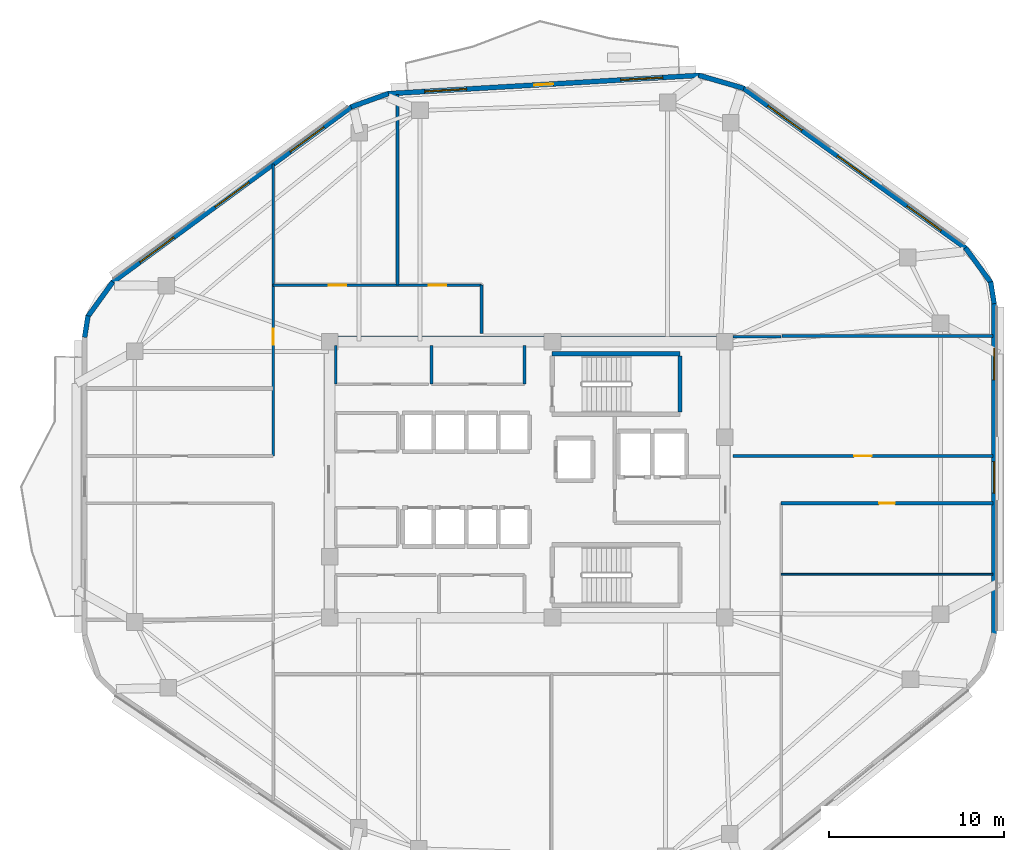
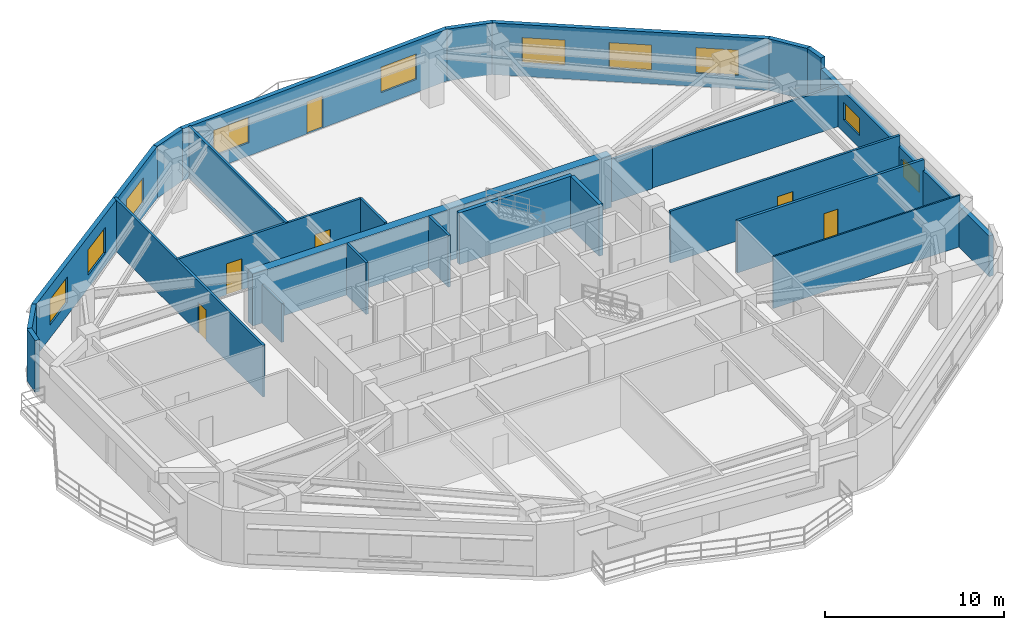
# One storey, part 5 of 9: 25 walls, 10 windows, 6 doors, 16 openings.
"""IFC4 building model written with IfcOpenShell, lengths in metres."""

from ifc_helpers import new_model, si_unit, direction, frame, frame_2d, origin, place, context, subcontext, project, spatial, rectangle, extrude, material, layer, layer_set, type_object, element, fill, save


model = new_model("IFC4")

# Units and contexts
model_context = context("Model", 3, precision=1e-05, world=origin(), true_north=direction((0.0, 1.0)))
body_context = subcontext(model_context, "Body", "Model", "MODEL_VIEW")
ifc_project = project(units=[si_unit("LENGTHUNIT", "METRE"), si_unit("AREAUNIT", "SQUARE_METRE"), si_unit("VOLUMEUNIT", "CUBIC_METRE"), si_unit("PLANEANGLEUNIT", "RADIAN"), si_unit("MASSUNIT", "GRAM", prefix="KILO")], contexts=[model_context])

# Site, building, storey
site_placement = place(None, origin())
site = spatial("IfcSite", under=ifc_project, at=site_placement, CompositionType="ELEMENT")
building_placement = place(site_placement, origin())
building = spatial("IfcBuilding", under=site, at=building_placement, Name="Zulverin Broadcast Headquarters", CompositionType="ELEMENT")
storey_placement = place(building_placement, frame((0.0, 0.0, 212.39990234375)))
storey = spatial("IfcBuildingStorey", under=building, at=storey_placement, Name="L54", CompositionType="ELEMENT", Elevation=212.39990234375)

# Wall
ifc_material_1 = material(Name="Concrete C60/75", Category="concrete")
ifc_layer_1 = layer(ifc_material_1, 0.550048828125, Name="Concrete C60/75", Category="concrete")
ifc_layer_set_1 = layer_set([ifc_layer_1], Name="Concrete C60/75")
wall_type_1 = type_object("IfcWallType", Name="WL-CORE-550", PredefinedType="SHEAR", material=ifc_layer_set_1)
wall_1_placement = place(storey_placement, frame((25.39990234375, 33.125, 0.0), z_axis=(0.0, 0.0, 1.0), x_axis=(1.0, 0.0, 0.0)))
element("IfcWall", 1, at=wall_1_placement, inside=storey, type_object=wall_type_1, Name="L54 Core North Shear Wall", PredefinedType="SHEAR", context=body_context, shape_type="SweptSolid", body=[
    extrude(rectangle(XDim=23.2001953125, YDim=0.550048828125, at=frame_2d((11.60009765625, 0.0))), origin(), (0.0, 0.0, 1.0), 3.5400390625),
])

# Wall, openings, windows
ifc_material_2 = material(Name="Insulated pale-metal clad concrete spandrel C40/50", Category="concrete")
ifc_layer_2 = layer(ifc_material_2, 0.280029296875, Name="Insulated pale-metal clad concrete spandrel C40/50", Category="concrete")
ifc_layer_set_2 = layer_set([ifc_layer_2], Name="Insulated pale-metal clad concrete spandrel C40/50")
wall_type_2 = type_object("IfcWallType", Name="WL-EXT-280", PredefinedType="STANDARD", material=ifc_layer_set_2)
wall_2_placement = place(storey_placement, frame((63.659912109375, 16.390380859375, 0.0), z_axis=(0.0, 0.0, 1.0), x_axis=(0.0, 1.0, 0.0)))
wall_2 = element("IfcWall", 2, at=wall_2_placement, inside=storey, type_object=wall_type_2, Name="L54 Pale-Metal Clad Spandrel Wall 3", PredefinedType="STANDARD", context=body_context, shape_type="SweptSolid", body=[
    extrude(rectangle(XDim=18.875732421875, YDim=0.280029296875, at=frame_2d((9.43798828125, 0.0))), origin(), (0.0, 0.0, 1.0), 2.7900390625),
])
opening_1_placement = place(wall_2_placement, frame((8.037841796875, 0.0, 0.85009765625)))
opening_1 = element("IfcOpeningElement", 3, at=opening_1_placement, cuts=wall_2, Name="Opening W-L54-E31", PredefinedType="OPENING", context=body_context, shape_type="SweptSolid", body=[
    extrude(rectangle(XDim=1.800048828125, YDim=1.199951171875, at=frame_2d((0.89990234375, 0.60009765625))), frame((0.0, 0.14990234375, 0.0), z_axis=(0.0, -1.0, 0.0), x_axis=(1.0, 0.0, 0.0)), (0.0, 0.0, 1.0), 0.300048828125),
])
opening_2_placement = place(wall_2_placement, frame((14.49658203125, 0.0, 0.85009765625)))
opening_2 = element("IfcOpeningElement", 4, at=opening_2_placement, cuts=wall_2, Name="Opening W-L54-E32", PredefinedType="OPENING", context=body_context, shape_type="SweptSolid", body=[
    extrude(rectangle(XDim=1.800048828125, YDim=1.199951171875, at=frame_2d((0.89990234375, 0.60009765625))), frame((0.0, 0.14990234375, 0.0), z_axis=(0.0, -1.0, 0.0), x_axis=(1.0, 0.0, 0.0)), (0.0, 0.0, 1.0), 0.300048828125),
])
ifc_material_3 = material(Name="Pale anodized aluminium frame with solar-control low-E double glazing", Category="aluminium")
window_type_1 = type_object("IfcWindowType", Name="WIN-LOW-1800", PartitioningType="SINGLE_PANEL", PredefinedType="WINDOW", material=ifc_material_3)
window_1_placement = place(opening_1_placement, origin())
window_1 = element("IfcWindow", 5, at=window_1_placement, inside=storey, type_object=window_type_1, Name="L54 Ribbon Glazing Window 3 1", OverallHeight=1.199951171875, OverallWidth=1.800048828125, PartitioningType="SINGLE_PANEL", PredefinedType="WINDOW", context=body_context, shape_type="SweptSolid", body=[
    extrude(rectangle(XDim=1.800048828125, YDim=1.199951171875, at=frame_2d((0.89990234375, 0.60009765625))), frame((0.0, 0.030029296875, 0.0), z_axis=(0.0, -1.0, 0.0), x_axis=(1.0, 0.0, 0.0)), (0.0, 0.0, 1.0), 0.06005859375),
])
fill(opening_1, window_1)
window_2_placement = place(opening_2_placement, origin())
window_2 = element("IfcWindow", 6, at=window_2_placement, inside=storey, type_object=window_type_1, Name="L54 Ribbon Glazing Window 3 2", OverallHeight=1.199951171875, OverallWidth=1.800048828125, PartitioningType="SINGLE_PANEL", PredefinedType="WINDOW", context=body_context, shape_type="SweptSolid", body=[
    extrude(rectangle(XDim=1.800048828125, YDim=1.199951171875, at=frame_2d((0.89990234375, 0.60009765625))), frame((0.0, 0.030029296875, 0.0), z_axis=(0.0, -1.0, 0.0), x_axis=(1.0, 0.0, 0.0)), (0.0, 0.0, 1.0), 0.06005859375),
])
fill(opening_2, window_2)

wall_3_placement = place(storey_placement, frame((62.054443359375, 38.3994140625, 0.0), z_axis=(0.0, 0.0, 1.0), x_axis=(-0.81172124793, 0.584045045915, 0.0)))
wall_3 = element("IfcWall", 7, at=wall_3_placement, inside=storey, type_object=wall_type_2, Name="L54 Pale-Metal Clad Spandrel Wall 4", PredefinedType="STANDARD", context=body_context, shape_type="SweptSolid", body=[
    extrude(rectangle(XDim=15.679443359375, YDim=0.280029296875, at=frame_2d((7.83984375, 0.0))), origin(), (0.0, 0.0, 1.0), 3.5400390625),
])
opening_3_placement = place(wall_3_placement, frame((1.74658203125, 0.0, 0.89990234375)))
opening_3 = element("IfcOpeningElement", 8, at=opening_3_placement, cuts=wall_3, Name="Opening W-L54-E41", PredefinedType="OPENING", context=body_context, shape_type="SweptSolid", body=[
    extrude(rectangle(XDim=2.39990234375, YDim=1.75, at=frame_2d((1.199951171875, 0.875))), frame((0.0, 0.14990234375, 0.0), z_axis=(0.0, -1.0, 0.0), x_axis=(1.0, 0.0, 0.0)), (0.0, 0.0, 1.0), 0.300048828125),
])
opening_4_placement = place(wall_3_placement, frame((6.6396484375, 0.0, 0.89990234375)))
opening_4 = element("IfcOpeningElement", 9, at=opening_4_placement, cuts=wall_3, Name="Opening W-L54-E42", PredefinedType="OPENING", context=body_context, shape_type="SweptSolid", body=[
    extrude(rectangle(XDim=2.39990234375, YDim=1.75, at=frame_2d((1.199951171875, 0.875))), frame((0.0, 0.14990234375, 0.0), z_axis=(0.0, -1.0, 0.0), x_axis=(1.0, 0.0, 0.0)), (0.0, 0.0, 1.0), 0.300048828125),
])
opening_5_placement = place(wall_3_placement, frame((11.53271484375, 0.0, 0.89990234375)))
opening_5 = element("IfcOpeningElement", 10, at=opening_5_placement, cuts=wall_3, Name="Opening W-L54-E43", PredefinedType="OPENING", context=body_context, shape_type="SweptSolid", body=[
    extrude(rectangle(XDim=2.39990234375, YDim=1.75, at=frame_2d((1.199951171875, 0.875))), frame((0.0, 0.14990234375, 0.0), z_axis=(0.0, -1.0, 0.0), x_axis=(1.0, 0.0, 0.0)), (0.0, 0.0, 1.0), 0.300048828125),
])
window_type_2 = type_object("IfcWindowType", Name="WIN-RIB-2400", PartitioningType="SINGLE_PANEL", PredefinedType="WINDOW", material=ifc_material_3)
window_3_placement = place(opening_3_placement, origin())
window_3 = element("IfcWindow", 11, at=window_3_placement, inside=storey, type_object=window_type_2, Name="L54 Ribbon Glazing Window 4 1", OverallHeight=1.75, OverallWidth=2.39990234375, PartitioningType="SINGLE_PANEL", PredefinedType="WINDOW", context=body_context, shape_type="SweptSolid", body=[
    extrude(rectangle(XDim=2.39990234375, YDim=1.75, at=frame_2d((1.199951171875, 0.875))), frame((0.0, 0.030029296875, 0.0), z_axis=(0.0, -1.0, 0.0), x_axis=(1.0, 0.0, 0.0)), (0.0, 0.0, 1.0), 0.06005859375),
])
fill(opening_3, window_3)
window_4_placement = place(opening_4_placement, origin())
window_4 = element("IfcWindow", 12, at=window_4_placement, inside=storey, type_object=window_type_2, Name="L54 Ribbon Glazing Window 4 2", OverallHeight=1.75, OverallWidth=2.39990234375, PartitioningType="SINGLE_PANEL", PredefinedType="WINDOW", context=body_context, shape_type="SweptSolid", body=[
    extrude(rectangle(XDim=2.39990234375, YDim=1.75, at=frame_2d((1.199951171875, 0.875))), frame((0.0, 0.030029296875, 0.0), z_axis=(0.0, -1.0, 0.0), x_axis=(1.0, 0.0, 0.0)), (0.0, 0.0, 1.0), 0.06005859375),
])
fill(opening_4, window_4)
window_5_placement = place(opening_5_placement, origin())
window_5 = element("IfcWindow", 13, at=window_5_placement, inside=storey, type_object=window_type_2, Name="L54 Ribbon Glazing Window 4 3", OverallHeight=1.75, OverallWidth=2.39990234375, PartitioningType="SINGLE_PANEL", PredefinedType="WINDOW", context=body_context, shape_type="SweptSolid", body=[
    extrude(rectangle(XDim=2.39990234375, YDim=1.75, at=frame_2d((1.199951171875, 0.875))), frame((0.0, 0.030029296875, 0.0), z_axis=(0.0, -1.0, 0.0), x_axis=(1.0, 0.0, 0.0)), (0.0, 0.0, 1.0), 0.06005859375),
])
fill(opening_5, window_5)

# Wall, openings, door, windows
wall_4_placement = place(storey_placement, frame((46.84619140625, 48.27685546875, 0.0), z_axis=(0.0, 0.0, 1.0), x_axis=(-0.998273806631, -0.05873165241, 0.0)))
wall_4 = element("IfcWall", 14, at=wall_4_placement, inside=storey, type_object=wall_type_2, Name="L54 Pale-Metal Clad Spandrel Wall 5", PredefinedType="STANDARD", context=body_context, shape_type="SweptSolid", body=[
    extrude(rectangle(XDim=17.8330078125, YDim=0.280029296875, at=frame_2d((8.91650390625, 0.0))), origin(), (0.0, 0.0, 1.0), 3.5400390625),
])
opening_6_placement = place(wall_4_placement, frame((8.366455078125, 0.0, 0.0)))
opening_6 = element("IfcOpeningElement", 15, at=opening_6_placement, cuts=wall_4, Name="Opening D-L54-TR5", PredefinedType="OPENING", context=body_context, shape_type="SweptSolid", body=[
    extrude(rectangle(XDim=1.10009765625, YDim=2.199951171875, at=frame_2d((0.550048828125, 1.10009765625))), frame((0.0, 0.14990234375, 0.0), z_axis=(0.0, -1.0, 0.0), x_axis=(1.0, 0.0, 0.0)), (0.0, 0.0, 1.0), 0.300048828125),
])
opening_7_placement = place(wall_4_placement, frame((2.10546875, 0.0, 0.89990234375)))
opening_7 = element("IfcOpeningElement", 16, at=opening_7_placement, cuts=wall_4, Name="Opening W-L54-E51", PredefinedType="OPENING", context=body_context, shape_type="SweptSolid", body=[
    extrude(rectangle(XDim=2.39990234375, YDim=1.75, at=frame_2d((1.199951171875, 0.875))), frame((0.0, 0.14990234375, 0.0), z_axis=(0.0, -1.0, 0.0), x_axis=(1.0, 0.0, 0.0)), (0.0, 0.0, 1.0), 0.300048828125),
])
opening_8_placement = place(wall_4_placement, frame((13.32763671875, 0.0, 0.89990234375)))
opening_8 = element("IfcOpeningElement", 17, at=opening_8_placement, cuts=wall_4, Name="Opening W-L54-E52", PredefinedType="OPENING", context=body_context, shape_type="SweptSolid", body=[
    extrude(rectangle(XDim=2.39990234375, YDim=1.75, at=frame_2d((1.199951171875, 0.875))), frame((0.0, 0.14990234375, 0.0), z_axis=(0.0, -1.0, 0.0), x_axis=(1.0, 0.0, 0.0)), (0.0, 0.0, 1.0), 0.300048828125),
])
ifc_material_4 = material(Name="Thermally broken aluminium glazed", Category="aluminium")
door_type_1 = type_object("IfcDoorType", Name="DR-TERR-1100", OperationType="SINGLE_SWING_RIGHT", PredefinedType="DOOR", material=ifc_material_4)
door_1_placement = place(opening_6_placement, origin())
door_1 = element("IfcDoor", 18, at=door_1_placement, inside=storey, type_object=door_type_1, Name="L54 Planted Terrace Glazed Access Door 5", OperationType="SINGLE_SWING_RIGHT", OverallHeight=2.199951171875, OverallWidth=1.10009765625, PredefinedType="DOOR", context=body_context, shape_type="SweptSolid", body=[
    extrude(rectangle(XDim=1.10009765625, YDim=2.199951171875, at=frame_2d((0.550048828125, 1.10009765625))), frame((0.0, 0.02490234375, 0.0), z_axis=(0.0, -1.0, 0.0), x_axis=(1.0, 0.0, 0.0)), (0.0, 0.0, 1.0), 0.050048828125),
])
fill(opening_6, door_1)
window_6_placement = place(opening_7_placement, origin())
window_6 = element("IfcWindow", 19, at=window_6_placement, inside=storey, type_object=window_type_2, Name="L54 Ribbon Glazing Window 5 1", OverallHeight=1.75, OverallWidth=2.39990234375, PartitioningType="SINGLE_PANEL", PredefinedType="WINDOW", context=body_context, shape_type="SweptSolid", body=[
    extrude(rectangle(XDim=2.39990234375, YDim=1.75, at=frame_2d((1.199951171875, 0.875))), frame((0.0, 0.030029296875, 0.0), z_axis=(0.0, -1.0, 0.0), x_axis=(1.0, 0.0, 0.0)), (0.0, 0.0, 1.0), 0.06005859375),
])
fill(opening_7, window_6)
window_7_placement = place(opening_8_placement, origin())
window_7 = element("IfcWindow", 20, at=window_7_placement, inside=storey, type_object=window_type_2, Name="L54 Ribbon Glazing Window 5 2", OverallHeight=1.75, OverallWidth=2.39990234375, PartitioningType="SINGLE_PANEL", PredefinedType="WINDOW", context=body_context, shape_type="SweptSolid", body=[
    extrude(rectangle(XDim=2.39990234375, YDim=1.75, at=frame_2d((1.199951171875, 0.875))), frame((0.0, 0.030029296875, 0.0), z_axis=(0.0, -1.0, 0.0), x_axis=(1.0, 0.0, 0.0)), (0.0, 0.0, 1.0), 0.06005859375),
])
fill(opening_8, window_7)

# Wall, openings, windows
wall_5_placement = place(storey_placement, frame((26.986083984375, 46.48779296875, 0.0), z_axis=(0.0, 0.0, 1.0), x_axis=(-0.806097783211, -0.59178236194, 0.0)))
wall_5 = element("IfcWall", 21, at=wall_5_placement, inside=storey, type_object=wall_type_2, Name="L54 Pale-Metal Clad Spandrel Wall 6", PredefinedType="STANDARD", context=body_context, shape_type="SweptSolid", body=[
    extrude(rectangle(XDim=16.958740234375, YDim=0.280029296875, at=frame_2d((8.4794921875, 0.0))), origin(), (0.0, 0.0, 1.0), 3.5400390625),
])
opening_9_placement = place(wall_5_placement, frame((1.959716796875, 0.0, 0.89990234375)))
opening_9 = element("IfcOpeningElement", 22, at=opening_9_placement, cuts=wall_5, Name="Opening W-L54-E61", PredefinedType="OPENING", context=body_context, shape_type="SweptSolid", body=[
    extrude(rectangle(XDim=2.39990234375, YDim=1.75, at=frame_2d((1.199951171875, 0.875))), frame((0.0, 0.14990234375, 0.0), z_axis=(0.0, -1.0, 0.0), x_axis=(1.0, 0.0, 0.0)), (0.0, 0.0, 1.0), 0.300048828125),
])
opening_10_placement = place(wall_5_placement, frame((7.279296875, 0.0, 0.89990234375)))
opening_10 = element("IfcOpeningElement", 23, at=opening_10_placement, cuts=wall_5, Name="Opening W-L54-E62", PredefinedType="OPENING", context=body_context, shape_type="SweptSolid", body=[
    extrude(rectangle(XDim=2.39990234375, YDim=1.75, at=frame_2d((1.199951171875, 0.875))), frame((0.0, 0.14990234375, 0.0), z_axis=(0.0, -1.0, 0.0), x_axis=(1.0, 0.0, 0.0)), (0.0, 0.0, 1.0), 0.300048828125),
])
opening_11_placement = place(wall_5_placement, frame((12.59912109375, 0.0, 0.89990234375)))
opening_11 = element("IfcOpeningElement", 24, at=opening_11_placement, cuts=wall_5, Name="Opening W-L54-E63", PredefinedType="OPENING", context=body_context, shape_type="SweptSolid", body=[
    extrude(rectangle(XDim=2.39990234375, YDim=1.75, at=frame_2d((1.199951171875, 0.875))), frame((0.0, 0.14990234375, 0.0), z_axis=(0.0, -1.0, 0.0), x_axis=(1.0, 0.0, 0.0)), (0.0, 0.0, 1.0), 0.300048828125),
])
window_8_placement = place(opening_9_placement, origin())
window_8 = element("IfcWindow", 25, at=window_8_placement, inside=storey, type_object=window_type_2, Name="L54 Ribbon Glazing Window 6 1", OverallHeight=1.75, OverallWidth=2.39990234375, PartitioningType="SINGLE_PANEL", PredefinedType="WINDOW", context=body_context, shape_type="SweptSolid", body=[
    extrude(rectangle(XDim=2.39990234375, YDim=1.75, at=frame_2d((1.199951171875, 0.875))), frame((0.0, 0.030029296875, 0.0), z_axis=(0.0, -1.0, 0.0), x_axis=(1.0, 0.0, 0.0)), (0.0, 0.0, 1.0), 0.06005859375),
])
fill(opening_9, window_8)
window_9_placement = place(opening_10_placement, origin())
window_9 = element("IfcWindow", 26, at=window_9_placement, inside=storey, type_object=window_type_2, Name="L54 Ribbon Glazing Window 6 2", OverallHeight=1.75, OverallWidth=2.39990234375, PartitioningType="SINGLE_PANEL", PredefinedType="WINDOW", context=body_context, shape_type="SweptSolid", body=[
    extrude(rectangle(XDim=2.39990234375, YDim=1.75, at=frame_2d((1.199951171875, 0.875))), frame((0.0, 0.030029296875, 0.0), z_axis=(0.0, -1.0, 0.0), x_axis=(1.0, 0.0, 0.0)), (0.0, 0.0, 1.0), 0.06005859375),
])
fill(opening_10, window_9)
window_10_placement = place(opening_11_placement, origin())
window_10 = element("IfcWindow", 27, at=window_10_placement, inside=storey, type_object=window_type_2, Name="L54 Ribbon Glazing Window 6 3", OverallHeight=1.75, OverallWidth=2.39990234375, PartitioningType="SINGLE_PANEL", PredefinedType="WINDOW", context=body_context, shape_type="SweptSolid", body=[
    extrude(rectangle(XDim=2.39990234375, YDim=1.75, at=frame_2d((1.199951171875, 0.875))), frame((0.0, 0.030029296875, 0.0), z_axis=(0.0, -1.0, 0.0), x_axis=(1.0, 0.0, 0.0)), (0.0, 0.0, 1.0), 0.06005859375),
])
fill(opening_11, window_10)

# Walls
wall_6_placement = place(storey_placement, frame((63.66162109375, 35.244140625, 0.0), z_axis=(0.0, 0.0, 1.0), x_axis=(-0.157059104921, 0.987589204863, 0.0)))
element("IfcWall", 28, at=wall_6_placement, inside=storey, type_object=wall_type_2, Name="L54 Wind-Shaped Corner Spandrel Wall 3-1", PredefinedType="STANDARD", context=body_context, shape_type="SweptSolid", body=[
    extrude(rectangle(XDim=1.257568359375, YDim=0.280029296875, at=frame_2d((0.62890625, 0.0))), origin(), (0.0, 0.0, 1.0), 3.5400390625),
])
wall_7_placement = place(storey_placement, frame((63.4892578125, 36.425537109375, 0.0), z_axis=(0.0, 0.0, 1.0), x_axis=(-0.590267940876, 0.80720738226, 0.0)))
element("IfcWall", 29, at=wall_7_placement, inside=storey, type_object=wall_type_2, Name="L54 Wind-Shaped Corner Spandrel Wall 3-2", PredefinedType="STANDARD", context=body_context, shape_type="SweptSolid", body=[
    extrude(rectangle(XDim=2.483642578125, YDim=0.280029296875, at=frame_2d((1.24169921875, 0.0))), origin(), (0.0, 0.0, 1.0), 3.5400390625),
])
wall_8_placement = place(storey_placement, frame((49.3701171875, 47.535888671875, 0.0), z_axis=(0.0, 0.0, 1.0), x_axis=(-0.960380089791, 0.278693529048, 0.0)))
element("IfcWall", 30, at=wall_8_placement, inside=storey, type_object=wall_type_2, Name="L54 Wind-Shaped Corner Spandrel Wall 4-1", PredefinedType="STANDARD", context=body_context, shape_type="SweptSolid", body=[
    extrude(rectangle(XDim=2.677001953125, YDim=0.280029296875, at=frame_2d((1.33837890625, 0.0))), origin(), (0.0, 0.0, 1.0), 3.5400390625),
])
wall_9_placement = place(storey_placement, frame((29.083251953125, 47.23779296875, 0.0), z_axis=(0.0, 0.0, 1.0), x_axis=(-0.940723909279, -0.33917329864, 0.0)))
element("IfcWall", 31, at=wall_9_placement, inside=storey, type_object=wall_type_2, Name="L54 Wind-Shaped Corner Spandrel Wall 5-1", PredefinedType="STANDARD", context=body_context, shape_type="SweptSolid", body=[
    extrude(rectangle(XDim=2.2666015625, YDim=0.280029296875, at=frame_2d((1.13330078125, 0.0))), origin(), (0.0, 0.0, 1.0), 3.5400390625),
])
wall_10_placement = place(storey_placement, frame((13.346435546875, 36.48291015625, 0.0), z_axis=(0.0, 0.0, 1.0), x_axis=(-0.585128091556, -0.810940883463, 0.0)))
element("IfcWall", 32, at=wall_10_placement, inside=storey, type_object=wall_type_2, Name="L54 Wind-Shaped Corner Spandrel Wall 6-1", PredefinedType="STANDARD", context=body_context, shape_type="SweptSolid", body=[
    extrude(rectangle(XDim=2.459716796875, YDim=0.280029296875, at=frame_2d((1.22998046875, 0.0))), origin(), (0.0, 0.0, 1.0), 3.5400390625),
])
wall_11_placement = place(storey_placement, frame((11.931884765625, 34.54833984375, 0.0), z_axis=(0.0, 0.0, 1.0), x_axis=(-0.155519443181, -0.987832831401, 0.0)))
element("IfcWall", 33, at=wall_11_placement, inside=storey, type_object=wall_type_2, Name="L54 Wind-Shaped Corner Spandrel Wall 6-2", PredefinedType="STANDARD", context=body_context, shape_type="SweptSolid", body=[
    extrude(rectangle(XDim=1.244873046875, YDim=0.280029296875, at=frame_2d((0.62255859375, 0.0))), origin(), (0.0, 0.0, 1.0), 3.5400390625),
])
ifc_material_5 = material(Name="Fire-rated acoustic laminated glass screen", Category="glass")
ifc_layer_3 = layer(ifc_material_5, 0.10009765625, Name="Fire-rated acoustic laminated glass screen", Category="glass")
ifc_layer_set_3 = layer_set([ifc_layer_3], Name="Fire-rated acoustic laminated glass screen")
wall_type_3 = type_object("IfcWallType", Name="WL-GLAZ-100", PredefinedType="PARTITIONING", material=ifc_layer_set_3)
wall_12_placement = place(storey_placement, frame((51.5, 19.800048828125, 0.0), z_axis=(0.0, 0.0, 1.0), x_axis=(1.0, 0.0, 0.0)))
element("IfcWall", 34, at=wall_12_placement, inside=storey, type_object=wall_type_3, Name="L54 Room Partition Wall RP-10", PredefinedType="PARTITIONING", context=body_context, shape_type="SweptSolid", body=[
    extrude(rectangle(XDim=12.094970703125, YDim=0.10009765625, at=frame_2d((6.04736328125, 0.0))), origin(), (0.0, 0.0, 1.0), 3.5400390625),
])
ifc_material_6 = material(Name="Fire-rated gypsum stud partition", Category="gypsum")
ifc_layer_4 = layer(ifc_material_6, 0.14990234375, Name="Fire-rated gypsum stud partition", Category="gypsum")
ifc_layer_set_4 = layer_set([ifc_layer_4], Name="Fire-rated gypsum stud partition")
wall_type_4 = type_object("IfcWallType", Name="WL-PART-150", PredefinedType="PARTITIONING", material=ifc_layer_set_4)
wall_13_placement = place(storey_placement, frame((26.070068359375, 30.64990234375, 0.0), z_axis=(0.0, 0.0, 1.0), x_axis=(0.0, 1.0, 0.0)))
element("IfcWall", 35, at=wall_13_placement, inside=storey, type_object=wall_type_4, Name="L54 Core Male WC West Wall", PredefinedType="PARTITIONING", context=body_context, shape_type="SweptSolid", body=[
    extrude(rectangle(XDim=2.2001953125, YDim=0.14990234375, at=frame_2d((1.10009765625, 0.0))), origin(), (0.0, 0.0, 1.0), 2.64013671875),
])
for number, where, z_axis, x_axis, name in (
    (36, (31.5400390625, 30.64990234375, 0.0), (0.0, 0.0, 1.0), (0.0, 1.0, 0.0), "L54 Core Accessible WC West Wall"),
    (37, (36.85009765625, 30.64990234375, 0.0), (0.0, 0.0, 1.0), (0.0, 1.0, 0.0), "L54 Core Accessible WC East Wall"),
):
    element("IfcWall", number, at=place(storey_placement, frame(where, z_axis=z_axis, x_axis=x_axis)), inside=storey, type_object=wall_type_4, Name=name, PredefinedType="PARTITIONING", context=body_context, shape_type="SweptSolid", body=[
        extrude(rectangle(XDim=2.2001953125, YDim=0.14990234375, at=frame_2d((1.10009765625, 0.0))), origin(), (0.0, 0.0, 1.0), 3.5400390625),
    ])
wall_14_placement = place(storey_placement, frame((34.39990234375, 33.5400390625, 0.0), z_axis=(0.0, 0.0, 1.0), x_axis=(0.0, 1.0, 0.0)))
element("IfcWall", 38, at=wall_14_placement, inside=storey, type_object=wall_type_4, Name="L54 Gallery Partition Wall CG-03", PredefinedType="PARTITIONING", context=body_context, shape_type="SweptSolid", body=[
    extrude(rectangle(XDim=2.760009765625, YDim=0.14990234375, at=frame_2d((1.3798828125, 0.0))), origin(), (0.0, 0.0, 1.0), 3.5400390625),
])
wall_15_placement = place(storey_placement, frame((29.60009765625, 36.300048828125, 0.0), z_axis=(0.0, 0.0, 1.0), x_axis=(0.0, 1.0, 0.0)))
element("IfcWall", 39, at=wall_15_placement, inside=storey, type_object=wall_type_4, Name="L54 Room Partition Wall RP-04", PredefinedType="PARTITIONING", context=body_context, shape_type="SweptSolid", body=[
    extrude(rectangle(XDim=10.8974609375, YDim=0.14990234375, at=frame_2d((5.44873046875, 0.0))), origin(), (0.0, 0.0, 1.0), 3.5400390625),
])

# Wall, opening, door
wall_16_placement = place(storey_placement, frame((22.5, 26.550048828125, 0.0), z_axis=(0.0, 0.0, 1.0), x_axis=(0.0, 1.0, 0.0)))
wall_16 = element("IfcWall", 40, at=wall_16_placement, inside=storey, type_object=wall_type_4, Name="L54 Gallery Partition Wall CG-07", PredefinedType="PARTITIONING", context=body_context, shape_type="SweptSolid", body=[
    extrude(rectangle(XDim=16.677978515625, YDim=0.14990234375, at=frame_2d((8.3388671875, 0.0))), origin(), (0.0, 0.0, 1.0), 3.5400390625),
])
opening_12_placement = place(wall_16_placement, frame((6.35009765625, 0.0, 0.0)))
opening_12 = element("IfcOpeningElement", 41, at=opening_12_placement, cuts=wall_16, Name="Opening D-L54-08", PredefinedType="OPENING", context=body_context, shape_type="SweptSolid", body=[
    extrude(rectangle(XDim=0.89990234375, YDim=2.10009765625, at=frame_2d((0.449951171875, 1.050048828125))), frame((0.0, 0.0849609375, 0.0), z_axis=(0.0, -1.0, 0.0), x_axis=(1.0, 0.0, 0.0)), (0.0, 0.0, 1.0), 0.169921875),
])
ifc_material_7 = material(Name="Fire-rated hardwood veneer timber leaf", Category="wood")
door_type_2 = type_object("IfcDoorType", Name="DR-ROOM-900", OperationType="SINGLE_SWING_RIGHT", PredefinedType="DOOR", material=ifc_material_7)
door_2_placement = place(opening_12_placement, origin())
door_2 = element("IfcDoor", 42, at=door_2_placement, inside=storey, type_object=door_type_2, Name="L54 Standards Review Suite Door", OperationType="SINGLE_SWING_RIGHT", OverallHeight=2.10009765625, OverallWidth=0.89990234375, PredefinedType="DOOR", context=body_context, shape_type="SweptSolid", body=[
    extrude(rectangle(XDim=0.89990234375, YDim=2.10009765625, at=frame_2d((0.449951171875, 1.050048828125))), frame((0.0, 0.02490234375, 0.0), z_axis=(0.0, -1.0, 0.0), x_axis=(1.0, 0.0, 0.0)), (0.0, 0.0, 1.0), 0.050048828125),
])
fill(opening_12, door_2)

wall_17_placement = place(storey_placement, frame((48.739990234375, 26.550048828125, 0.0), z_axis=(0.0, 0.0, 1.0), x_axis=(1.0, 0.0, 0.0)))
wall_17 = element("IfcWall", 43, at=wall_17_placement, inside=storey, type_object=wall_type_4, Name="L54 Gallery Partition Wall CG-14", PredefinedType="PARTITIONING", context=body_context, shape_type="SweptSolid", body=[
    extrude(rectangle(XDim=14.85498046875, YDim=0.14990234375, at=frame_2d((7.427490234375, 0.0))), origin(), (0.0, 0.0, 1.0), 3.5400390625),
])
opening_13_placement = place(wall_17_placement, frame((6.927490234375, 0.0, 0.0)))
opening_13 = element("IfcOpeningElement", 44, at=opening_13_placement, cuts=wall_17, Name="Opening D-L54-11", PredefinedType="OPENING", context=body_context, shape_type="SweptSolid", body=[
    extrude(rectangle(XDim=1.0, YDim=2.1201171875, at=frame_2d((0.5, 1.06005859375))), frame((0.0, 0.0849609375, 0.0), z_axis=(0.0, -1.0, 0.0), x_axis=(1.0, 0.0, 0.0)), (0.0, 0.0, 1.0), 0.169921875),
])
ifc_material_8 = material(Name="Hardwood veneer acoustic leaf", Category="wood")
door_type_3 = type_object("IfcDoorType", Name="DR-OFF-1000", OperationType="SINGLE_SWING_LEFT", PredefinedType="DOOR", material=ifc_material_8)
door_3_placement = place(opening_13_placement, origin())
door_3 = element("IfcDoor", 45, at=door_3_placement, inside=storey, type_object=door_type_3, Name="L54 Legal & Compliance Office Door", OperationType="SINGLE_SWING_LEFT", OverallHeight=2.1201171875, OverallWidth=1.0, PredefinedType="DOOR", context=body_context, shape_type="SweptSolid", body=[
    extrude(rectangle(XDim=1.0, YDim=2.1201171875, at=frame_2d((0.5, 1.06005859375))), frame((0.0, 0.02490234375, 0.0), z_axis=(0.0, -1.0, 0.0), x_axis=(1.0, 0.0, 0.0)), (0.0, 0.0, 1.0), 0.050048828125),
])
fill(opening_13, door_3)

# Walls
wall_18_placement = place(storey_placement, frame((48.739990234375, 33.35009765625, 0.0), z_axis=(0.0, 0.0, 1.0), x_axis=(1.0, 0.0, 0.0)))
element("IfcWall", 46, at=wall_18_placement, inside=storey, type_object=wall_type_4, Name="L54 Room Partition Wall RP-16", PredefinedType="PARTITIONING", context=body_context, shape_type="SweptSolid", body=[
    extrude(rectangle(XDim=2.758544921875, YDim=0.14990234375, at=frame_2d((1.37939453125, 0.0))), origin(), (0.0, 0.0, 1.0), 2.9228515625),
])
wall_19_placement = place(storey_placement, frame((51.5400390625, 33.39990234375, 0.0), z_axis=(0.0, 0.0, 1.0), x_axis=(1.0, 0.0, 0.0)))
element("IfcWall", 47, at=wall_19_placement, inside=storey, type_object=wall_type_4, Name="L54 Room Partition Wall RP-17", PredefinedType="PARTITIONING", context=body_context, shape_type="SweptSolid", body=[
    extrude(rectangle(XDim=12.054931640625, YDim=0.14990234375, at=frame_2d((6.02734375, 0.0))), origin(), (0.0, 0.0, 1.0), 2.7900390625),
])

# Wall, openings, doors
wall_20_placement = place(storey_placement, frame((22.5, 36.300048828125, 0.0), z_axis=(0.0, 0.0, 1.0), x_axis=(1.0, 0.0, 0.0)))
wall_20 = element("IfcWall", 48, at=wall_20_placement, inside=storey, type_object=wall_type_4, Name="L54 Gallery Partition Wall CG-18", PredefinedType="PARTITIONING", context=body_context, shape_type="SweptSolid", body=[
    extrude(rectangle(XDim=11.89990234375, YDim=0.14990234375, at=frame_2d((5.949951171875, 0.0))), origin(), (0.0, 0.0, 1.0), 3.5400390625),
])
opening_14_placement = place(wall_20_placement, frame((3.169921875, 0.0, 0.0)))
opening_14 = element("IfcOpeningElement", 49, at=opening_14_placement, cuts=wall_20, Name="Opening D-L54-01", PredefinedType="OPENING", context=body_context, shape_type="SweptSolid", body=[
    extrude(rectangle(XDim=1.0, YDim=2.1201171875, at=frame_2d((0.5, 1.06005859375))), frame((0.0, 0.0849609375, 0.0), z_axis=(0.0, -1.0, 0.0), x_axis=(1.0, 0.0, 0.0)), (0.0, 0.0, 1.0), 0.169921875),
])
opening_15_placement = place(wall_20_placement, frame((8.8798828125, 0.0, 0.0)))
opening_15 = element("IfcOpeningElement", 50, at=opening_15_placement, cuts=wall_20, Name="Opening D-L54-02", PredefinedType="OPENING", context=body_context, shape_type="SweptSolid", body=[
    extrude(rectangle(XDim=1.0, YDim=2.1201171875, at=frame_2d((0.5, 1.06005859375))), frame((0.0, 0.0849609375, 0.0), z_axis=(0.0, -1.0, 0.0), x_axis=(1.0, 0.0, 0.0)), (0.0, 0.0, 1.0), 0.169921875),
])
door_4_placement = place(opening_14_placement, origin())
door_4 = element("IfcDoor", 51, at=door_4_placement, inside=storey, type_object=door_type_3, Name="L54 Legal & Compliance Office Door", OperationType="SINGLE_SWING_LEFT", OverallHeight=2.1201171875, OverallWidth=1.0, PredefinedType="DOOR", context=body_context, shape_type="SweptSolid", body=[
    extrude(rectangle(XDim=1.0, YDim=2.1201171875, at=frame_2d((0.5, 1.06005859375))), frame((0.0, 0.02490234375, 0.0), z_axis=(0.0, -1.0, 0.0), x_axis=(1.0, 0.0, 0.0)), (0.0, 0.0, 1.0), 0.050048828125),
])
fill(opening_14, door_4)
door_5_placement = place(opening_15_placement, origin())
door_5 = element("IfcDoor", 52, at=door_5_placement, inside=storey, type_object=door_type_3, Name="L54 Commissioning Office Door", OperationType="SINGLE_SWING_RIGHT", OverallHeight=2.1201171875, OverallWidth=1.0, PredefinedType="DOOR", context=body_context, shape_type="SweptSolid", body=[
    extrude(rectangle(XDim=1.0, YDim=2.1201171875, at=frame_2d((0.5, 1.06005859375))), frame((0.0, 0.02490234375, 0.0), z_axis=(0.0, -1.0, 0.0), x_axis=(1.0, 0.0, 0.0)), (0.0, 0.0, 1.0), 0.050048828125),
])
fill(opening_15, door_5)

# Wall, opening, door
ifc_material_9 = material(Name="Fire-rated acoustic stud wall", Category="gypsum")
ifc_layer_5 = layer(ifc_material_9, 0.175048828125, Name="Fire-rated acoustic stud wall", Category="gypsum")
ifc_layer_set_5 = layer_set([ifc_layer_5], Name="Fire-rated acoustic stud wall")
wall_type_5 = type_object("IfcWallType", Name="WL-PART-175", PredefinedType="PARTITIONING", material=ifc_layer_set_5)
wall_21_placement = place(storey_placement, frame((51.5, 23.85009765625, 0.0), z_axis=(0.0, 0.0, 1.0), x_axis=(1.0, 0.0, 0.0)))
wall_21 = element("IfcWall", 53, at=wall_21_placement, inside=storey, type_object=wall_type_5, Name="L54 Gallery Partition Wall CG-12", PredefinedType="PARTITIONING", context=body_context, shape_type="SweptSolid", body=[
    extrude(rectangle(XDim=12.094970703125, YDim=0.175048828125, at=frame_2d((6.04736328125, 0.0))), origin(), (0.0, 0.0, 1.0), 3.5400390625),
])
opening_16_placement = place(wall_21_placement, frame((5.597412109375, 0.0, 0.0)))
opening_16 = element("IfcOpeningElement", 54, at=opening_16_placement, cuts=wall_21, Name="Opening D-L54-10", PredefinedType="OPENING", context=body_context, shape_type="SweptSolid", body=[
    extrude(rectangle(XDim=0.89990234375, YDim=2.10009765625, at=frame_2d((0.449951171875, 1.050048828125))), frame((0.0, 0.097412109375, 0.0), z_axis=(0.0, -1.0, 0.0), x_axis=(1.0, 0.0, 0.0)), (0.0, 0.0, 1.0), 0.195068359375),
])
door_6_placement = place(opening_16_placement, origin())
door_6 = element("IfcDoor", 55, at=door_6_placement, inside=storey, type_object=door_type_2, Name="L54 Floor Reception Door", OperationType="SINGLE_SWING_RIGHT", OverallHeight=2.10009765625, OverallWidth=0.89990234375, PredefinedType="DOOR", context=body_context, shape_type="SweptSolid", body=[
    extrude(rectangle(XDim=0.89990234375, YDim=2.10009765625, at=frame_2d((0.449951171875, 1.050048828125))), frame((0.0, 0.02490234375, 0.0), z_axis=(0.0, -1.0, 0.0), x_axis=(1.0, 0.0, 0.0)), (0.0, 0.0, 1.0), 0.050048828125),
])
fill(opening_16, door_6)

# Walls
ifc_material_10 = material(Name="Concrete C50/60", Category="concrete")
ifc_layer_6 = layer(ifc_material_10, 0.25, Name="Concrete C50/60", Category="concrete")
ifc_layer_set_6 = layer_set([ifc_layer_6], Name="Concrete C50/60")
wall_type_6 = type_object("IfcWallType", Name="WL-SHAFT-250", PredefinedType="SHEAR", material=ifc_layer_set_6)
wall_22_placement = place(storey_placement, frame((38.425048828125, 32.375, 0.0), z_axis=(0.0, 0.0, 1.0), x_axis=(1.0, 0.0, 0.0)))
element("IfcWall", 56, at=wall_22_placement, inside=storey, type_object=wall_type_6, Name="L54 ST-1 Enclosure Wall N", PredefinedType="SHEAR", context=body_context, shape_type="SweptSolid", body=[
    extrude(rectangle(XDim=7.300048828125, YDim=0.25, at=frame_2d((3.64990234375, 0.0))), origin(), (0.0, 0.0, 1.0), 3.5400390625),
])
wall_23_placement = place(storey_placement, frame((45.72509765625, 29.050048828125, 0.0), z_axis=(0.0, 0.0, 1.0), x_axis=(0.0, 1.0, 0.0)))
element("IfcWall", 57, at=wall_23_placement, inside=storey, type_object=wall_type_6, Name="L54 ST-1 Enclosure Wall E", PredefinedType="SHEAR", context=body_context, shape_type="SweptSolid", body=[
    extrude(rectangle(XDim=3.199951171875, YDim=0.25, at=frame_2d((1.60009765625, 0.0))), origin(), (0.0, 0.0, 1.0), 3.5400390625),
])

save(model, "model.ifc")
